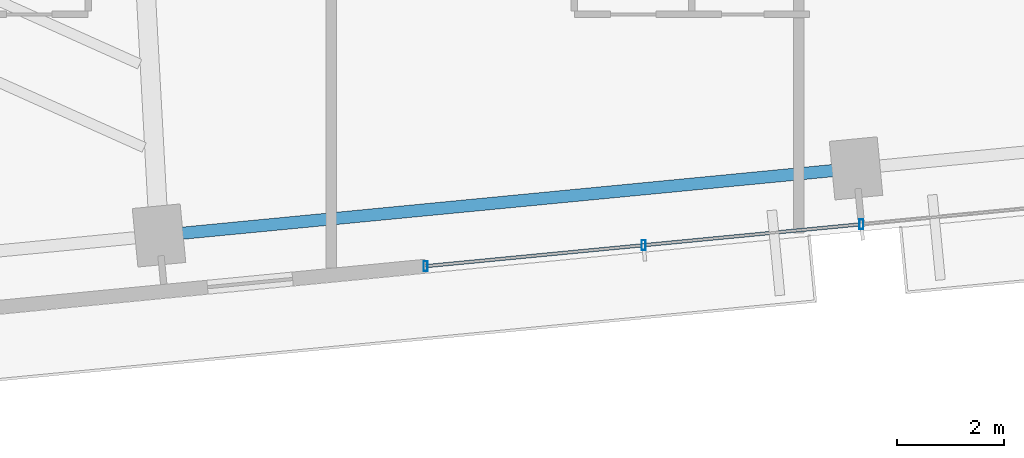
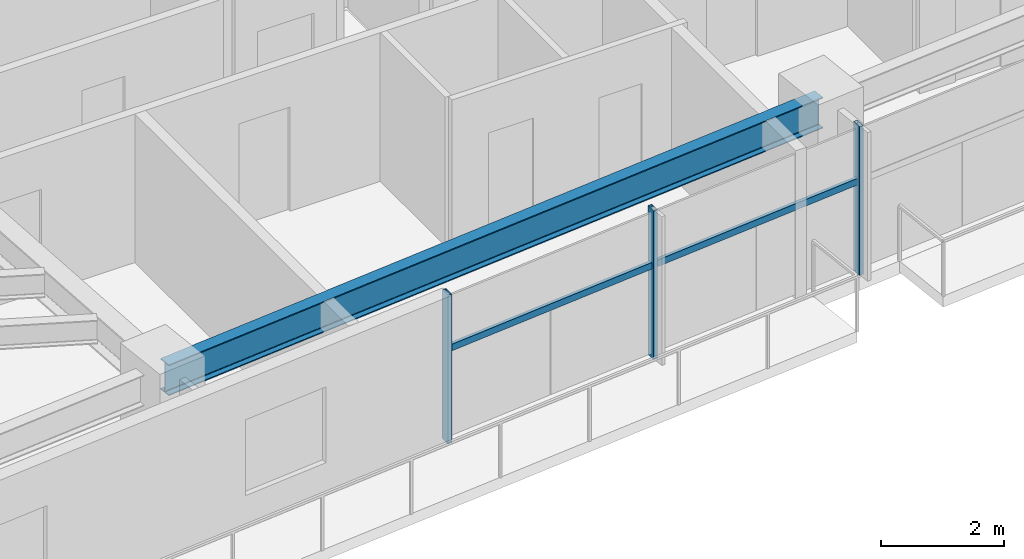
# One storey, part 6 of 27: 5 members, 1 beam, 1 element without a shape of its own.
"""IFC4 building model written with IfcOpenShell, lengths in metres."""

from ifc_helpers import new_model, si_unit, direction, frame, origin, origin_2d, place, context, subcontext, project, spatial, hollow_rectangle, i_section, extrude, source, transform, mapped, material, material_profile, profile_set, type_object, type_shapes, element, aggregate, save


model = new_model("IFC4")

# Units and contexts
model_context = context("Model", 3, precision=1e-05, world=origin(), true_north=direction((0.0, 1.0)))
body_context = subcontext(model_context, "Body", "Model", "MODEL_VIEW")
ifc_project = project(units=[si_unit("LENGTHUNIT", "METRE"), si_unit("AREAUNIT", "SQUARE_METRE"), si_unit("VOLUMEUNIT", "CUBIC_METRE"), si_unit("PLANEANGLEUNIT", "RADIAN"), si_unit("MASSUNIT", "GRAM", prefix="KILO")], contexts=[model_context])

# Site, building, storey
site_placement = place(None, origin())
site = spatial("IfcSite", under=ifc_project, at=site_placement, CompositionType="ELEMENT")
building_placement = place(site_placement, origin())
building = spatial("IfcBuilding", under=site, at=building_placement, Name="Astriad Promenade Condominiums", CompositionType="ELEMENT")
storey_placement = place(building_placement, frame((0.0, 0.0, 109.800048828125)))
storey = spatial("IfcBuildingStorey", under=building, at=storey_placement, Name="L31", CompositionType="ELEMENT", Elevation=109.800048828125)

# Beam
ifc_material_1 = material(Name="Steel ASTM A992 Grade 50", Category="steel")
ifc_material_profile_1 = material_profile(ifc_material_1, i_section(OverallWidth=0.22900390625, OverallDepth=0.612060546875, WebThickness=0.011962890625, FlangeThickness=0.01953125, FilletRadius=0.017822265625, at=origin_2d()), Name="W24X84")
ifc_profile_set_1 = profile_set([ifc_material_profile_1], Name="Steel ASTM A992 Grade 50")
beam_type = type_object("IfcBeamType", Name="STEEL SPANDREL BEAM W24X84", PredefinedType="SPANDREL", material=ifc_profile_set_1)
shared_shape_1 = source(origin(), body_context, "Body", "SweptSolid", [
    extrude(i_section(OverallWidth=0.22900390625, OverallDepth=0.612060546875, WebThickness=0.011962890625, FlangeThickness=0.01953125, FilletRadius=0.017822265625, at=origin_2d()), origin(), (0.0, 0.0, 1.0), 13.020263671875),
])
type_shapes(beam_type, [shared_shape_1])
beam_placement = place(storey_placement, frame((27.04541015625, 6.268798828125, 2.6337890625), z_axis=(0.995395311238, 0.095854965264, 0.0), x_axis=(-0.095854965264, 0.995395311238, 0.0)))
element("IfcBeam", 1, at=beam_placement, inside=storey, type_object=beam_type, Name="Perimeter Spandrel Beam SP-S2-L31", PredefinedType="SPANDREL", context=body_context, shape_type="MappedRepresentation", body=[
    mapped(shared_shape_1, transform((0.0, 0.0, 0.0), scale=1.0)),
])

# Curtain wall, members
ifc_material_2 = material(Name="Anodised aluminium Black Dark Glass Unitised", Category="aluminium")
curtain_wall_type = type_object("IfcCurtainWallType", Name="CW-B2-DARK", PredefinedType="USERDEFINED", material=ifc_material_2)
curtain_wall_placement = place(storey_placement, origin())
curtain_wall = element("IfcCurtainWall", 2, at=curtain_wall_placement, inside=storey, type_object=curtain_wall_type, Name="CW-L31-S", ObjectType="UNITISED_CURTAIN_WALL", PredefinedType="USERDEFINED")
ifc_material_3 = material(Name="Anodised aluminium 6063-T6 Black", Category="aluminium")
ifc_material_profile_2 = material_profile(ifc_material_3, hollow_rectangle(XDim=0.074951171875, YDim=0.18505859375, WallThickness=0.00439453125, at=origin_2d()), Name="ALU-MUL-75X185")
ifc_profile_set_2 = profile_set([ifc_material_profile_2], Name="Anodised aluminium 6063-T6 Black")
member_type_1 = type_object("IfcMemberType", Name="MUL-ALU-MUL-75X185", PredefinedType="MULLION", material=ifc_profile_set_2)
shared_shape_2 = source(origin(), body_context, "Body", "SweptSolid", [
    extrude(hollow_rectangle(XDim=0.074951171875, YDim=0.18505859375, WallThickness=0.00439453125, at=origin_2d()), origin(), (0.0, 0.0, 1.0), 2.93994140625),
])
type_shapes(member_type_1, [shared_shape_2])
member_1_placement = place(storey_placement, frame((40.14599609375, 6.475341796875, 0.0), z_axis=(0.0, 0.0, 1.0), x_axis=(1.0, 0.0, 0.0)))
member_1 = element("IfcMember", 3, at=member_1_placement, type_object=member_type_1, Name="CW-L31-S-MUL-02", PredefinedType="MULLION", context=body_context, shape_type="MappedRepresentation", body=[
    mapped(shared_shape_2, transform((0.0, 0.0, 0.0), scale=1.0)),
])
member_2_placement = place(storey_placement, frame((36.06982421875, 6.0830078125, 0.0), z_axis=(0.0, 0.0, 1.0), x_axis=(1.0, 0.0, 0.0)))
member_2 = element("IfcMember", 4, at=member_2_placement, type_object=member_type_1, Name="CW-L31-S-MUL-03", PredefinedType="MULLION", context=body_context, shape_type="MappedRepresentation", body=[
    mapped(shared_shape_2, transform((0.0, 0.0, 0.0), scale=1.0)),
])
member_3_placement = place(storey_placement, frame((31.99365234375, 5.6904296875, 0.0), z_axis=(0.0, 0.0, 1.0), x_axis=(1.0, 0.0, 0.0)))
member_3 = element("IfcMember", 5, at=member_3_placement, type_object=member_type_1, Name="CW-L31-S-MUL-04", PredefinedType="MULLION", context=body_context, shape_type="MappedRepresentation", body=[
    mapped(shared_shape_2, transform((0.0, 0.0, 0.0), scale=1.0)),
])
ifc_material_profile_3 = material_profile(ifc_material_3, hollow_rectangle(XDim=0.06494140625, YDim=0.1298828125, WallThickness=0.00390625, at=origin_2d()), Name="ALU-TRN-65X130")
ifc_profile_set_3 = profile_set([ifc_material_profile_3], Name="Anodised aluminium 6063-T6 Black")
member_type_2 = type_object("IfcMemberType", Name="TRN-ALU-TRN-65X130", PredefinedType="USERDEFINED", material=ifc_profile_set_3)
shared_shape_3 = source(origin(), body_context, "Body", "SweptSolid", [
    extrude(hollow_rectangle(XDim=0.06494140625, YDim=0.1298828125, WallThickness=0.00390625, at=origin_2d()), origin(), (0.0, 0.0, 1.0), 4.094970703125),
])
type_shapes(member_type_2, [shared_shape_3])
member_4_placement = place(storey_placement, frame((40.14599609375, 6.475341796875, 1.82275390625), z_axis=(-0.995399849002, -0.095807831657, 0.0), x_axis=(0.095807831657, -0.995399849002, 0.0)))
member_4 = element("IfcMember", 6, at=member_4_placement, type_object=member_type_2, Name="CW-L31-S-TRN-02-0", ObjectType="TRANSOM", PredefinedType="USERDEFINED", context=body_context, shape_type="MappedRepresentation", body=[
    mapped(shared_shape_3, transform((0.0, 0.0, 0.0), scale=1.0)),
])
member_5_placement = place(storey_placement, frame((36.06982421875, 6.0830078125, 1.82275390625), z_axis=(-0.995394161585, -0.09586690296, 0.0), x_axis=(0.09586690296, -0.995394161585, 0.0)))
member_5 = element("IfcMember", 7, at=member_5_placement, type_object=member_type_2, Name="CW-L31-S-TRN-03-0", ObjectType="TRANSOM", PredefinedType="USERDEFINED", context=body_context, shape_type="MappedRepresentation", body=[
    mapped(shared_shape_3, transform((0.0, 0.0, 0.0), scale=1.0)),
])
aggregate(curtain_wall, [member_1, member_2, member_3, member_4, member_5])

save(model, "model.ifc")
